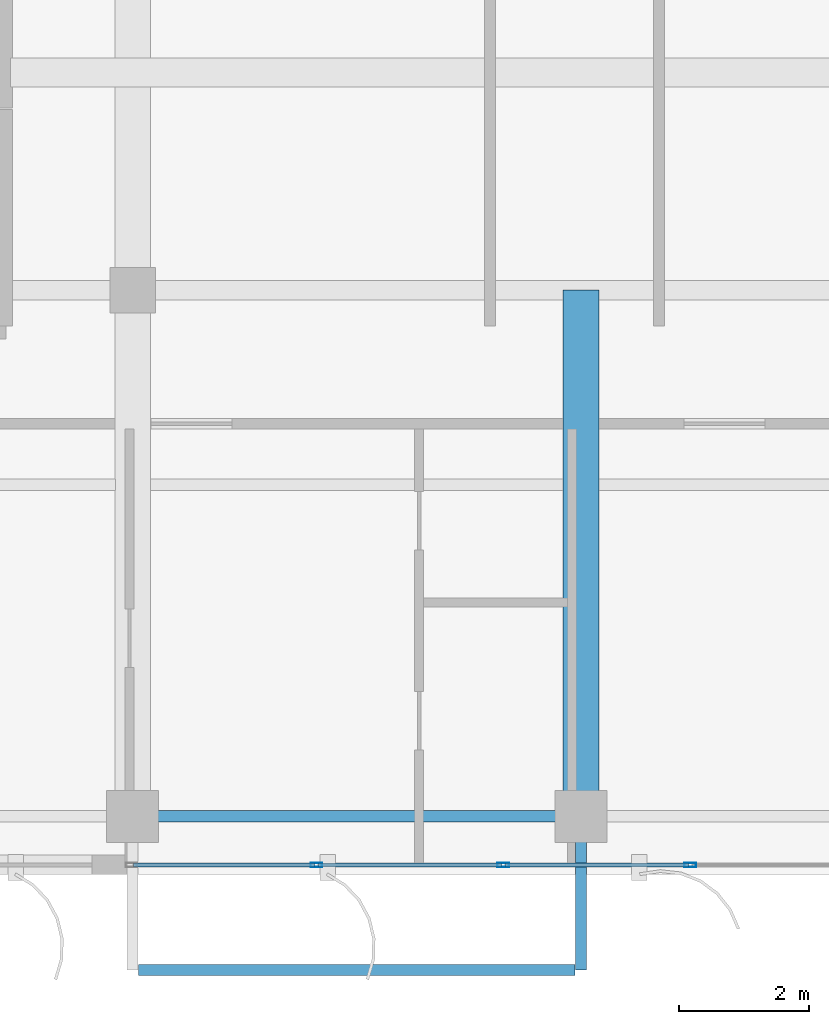
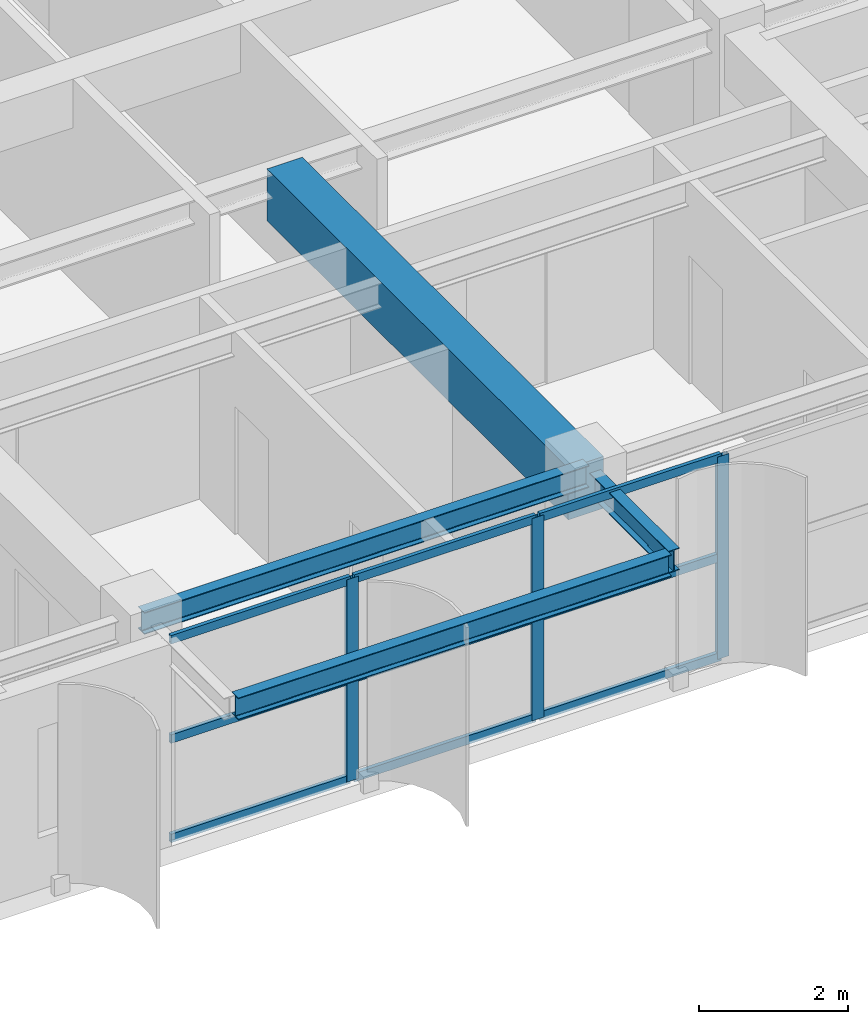
# One storey, part 5 of 23: 12 members, 4 beams, 1 element without a shape of its own.
"""IFC4 building model written with IfcOpenShell, lengths in metres."""

from ifc_helpers import new_model, si_unit, direction, frame, origin, origin_2d, place, context, subcontext, project, spatial, rectangle, hollow_rectangle, i_section, extrude, source, transform, mapped, material, layer, layer_set, material_profile, profile_set, type_object, element, aggregate, save


model = new_model("IFC4")

# Units and contexts
model_context = context("Model", 3, precision=1e-05, world=origin(), true_north=direction((0.0, 1.0)))
body_context = subcontext(model_context, "Body", "Model", "MODEL_VIEW")
ifc_project = project(units=[si_unit("LENGTHUNIT", "METRE"), si_unit("AREAUNIT", "SQUARE_METRE"), si_unit("VOLUMEUNIT", "CUBIC_METRE"), si_unit("PLANEANGLEUNIT", "RADIAN"), si_unit("MASSUNIT", "GRAM", prefix="KILO")], contexts=[model_context])

# Site, building, storey
site_placement = place(None, origin())
site = spatial("IfcSite", under=ifc_project, at=site_placement, CompositionType="ELEMENT")
building_placement = place(site_placement, origin())
building = spatial("IfcBuilding", under=site, at=building_placement, Name="Khoralis Quay Care Tower", CompositionType="ELEMENT")
storey_placement = place(building_placement, frame((0.0, 0.0, 270.89990234375)))
storey = spatial("IfcBuildingStorey", under=building, at=storey_placement, Name="L71", CompositionType="ELEMENT", Elevation=270.89990234375)

# Beams
ifc_material_1 = material(Name="Concrete C50/60", Category="concrete")
ifc_material_profile_1 = material_profile(ifc_material_1, rectangle(XDim=0.550048828125, YDim=0.85009765625, at=origin_2d()), Name="Concrete C50/60")
ifc_profile_set_1 = profile_set([ifc_material_profile_1], Name="Concrete C50/60")
beam_type_1 = type_object("IfcBeamType", Name="BM-RC550X850", PredefinedType="BEAM", material=ifc_profile_set_1)
shared_shape_1 = source(origin(), body_context, "Body", "SweptSolid", [
    extrude(rectangle(XDim=0.550048828125, YDim=0.85009765625, at=origin_2d()), origin(), (0.0, 0.0, 1.0), 8.10009765625),
])
beam_1_placement = place(storey_placement, frame((24.0, 3.89990234375, 2.89501953125), z_axis=(0.0, 1.0, 0.0), x_axis=(-1.0, 0.0, 0.0)))
element("IfcBeam", 1, at=beam_1_placement, inside=storey, type_object=beam_type_1, Name="BM-TGYS-L71-240", PredefinedType="BEAM", context=body_context, shape_type="MappedRepresentation", body=[
    mapped(shared_shape_1, transform((0.0, 0.0, 0.0), scale=1.0)),
])
ifc_material_2 = material(Name="Steel S355", Category="steel")
ifc_material_profile_2 = material_profile(ifc_material_2, i_section(OverallWidth=0.169921875, OverallDepth=0.360107421875, WebThickness=0.008056640625, FlangeThickness=0.0126953125, FilletRadius=0.01806640625, at=origin_2d()), Name="Steel S355")
ifc_profile_set_2 = profile_set([ifc_material_profile_2], Name="Steel S355")
beam_type_2 = type_object("IfcBeamType", Name="BM-IPE360", PredefinedType="SPANDREL", material=ifc_profile_set_2)
shared_shape_2 = source(origin(), body_context, "Body", "SweptSolid", [
    extrude(i_section(OverallWidth=0.169921875, OverallDepth=0.360107421875, WebThickness=0.008056640625, FlangeThickness=0.0126953125, FilletRadius=0.01806640625, at=origin_2d()), origin(), (0.0, 0.0, 1.0), 6.89990234375),
])
beam_2_placement = place(storey_placement, frame((17.10009765625, 3.89990234375, 3.14013671875), z_axis=(1.0, 0.0, 0.0), x_axis=(0.0, 1.0, 0.0)))
element("IfcBeam", 2, at=beam_2_placement, inside=storey, type_object=beam_type_2, Name="BM-TSP-L71-02", PredefinedType="SPANDREL", context=body_context, shape_type="MappedRepresentation", body=[
    mapped(shared_shape_2, transform((0.0, 0.0, 0.0), scale=1.0)),
])

# Curtain wall, members
ifc_material_3 = material(Name="Pale anodised aluminium", Category="aluminium")
ifc_layer = layer(ifc_material_3, 0.159912109375)
ifc_layer_set = layer_set([ifc_layer], Name="Pale anodised aluminium")
curtain_wall_type = type_object("IfcCurtainWallType", Name="CW-SYS-Z3", PredefinedType="NOTDEFINED", material=ifc_layer_set)
curtain_wall_placement = place(storey_placement, origin())
curtain_wall = element("IfcCurtainWall", 3, at=curtain_wall_placement, inside=storey, type_object=curtain_wall_type, Name="L71 Unitised Curtain Wall CW-L71-P1-E0", PredefinedType="NOTDEFINED")
ifc_material_profile_3 = material_profile(ifc_material_3, hollow_rectangle(XDim=0.06494140625, YDim=0.179931640625, WallThickness=0.00390625, at=origin_2d()), Name="Pale anodised aluminium")
ifc_profile_set_3 = profile_set([ifc_material_profile_3], Name="Pale anodised aluminium")
member_type_1 = type_object("IfcMemberType", Name="CW-MUL-180", PredefinedType="MULLION", material=ifc_profile_set_3)
shared_shape_3 = source(origin(), body_context, "Body", "SweptSolid", [
    extrude(hollow_rectangle(XDim=0.06494140625, YDim=0.179931640625, WallThickness=0.00390625, at=origin_2d()), origin(), (0.0, 0.0, 1.0), 3.320068359375),
])
member_1_placement = place(storey_placement, frame((19.927490234375, 3.14990234375, 0.0), z_axis=(0.0, 0.0, 1.0), x_axis=(0.0, 1.0, 0.0)))
member_1 = element("IfcMember", 4, at=member_1_placement, type_object=member_type_1, Name="CW3 mullion 2", PredefinedType="MULLION", context=body_context, shape_type="MappedRepresentation", body=[
    mapped(shared_shape_3, transform((0.0, 0.0, 0.0), scale=1.0)),
])
member_2_placement = place(storey_placement, frame((22.804931640625, 3.14990234375, 0.0), z_axis=(0.0, 0.0, 1.0), x_axis=(0.0, 1.0, 0.0)))
member_2 = element("IfcMember", 5, at=member_2_placement, type_object=member_type_1, Name="CW3 mullion 3", PredefinedType="MULLION", context=body_context, shape_type="MappedRepresentation", body=[
    mapped(shared_shape_3, transform((0.0, 0.0, 0.0), scale=1.0)),
])
member_3_placement = place(storey_placement, frame((25.6826171875, 3.14990234375, 0.0), z_axis=(0.0, 0.0, 1.0), x_axis=(0.0, 1.0, 0.0)))
member_3 = element("IfcMember", 6, at=member_3_placement, type_object=member_type_1, Name="CW3 mullion 4", PredefinedType="MULLION", context=body_context, shape_type="MappedRepresentation", body=[
    mapped(shared_shape_3, transform((0.0, 0.0, 0.0), scale=1.0)),
])

# Beams
shared_shape_4 = source(origin(), body_context, "Body", "SweptSolid", [
    extrude(i_section(OverallWidth=0.169921875, OverallDepth=0.360107421875, WebThickness=0.008056640625, FlangeThickness=0.0126953125, FilletRadius=0.01806640625, at=origin_2d()), origin(), (0.0, 0.0, 1.0), 2.119873046875),
])
beam_3_placement = place(storey_placement, frame((24.0, 3.64990234375, 3.14404296875), z_axis=(0.0, -1.0, 0.0), x_axis=(1.0, 0.0, 0.0)))
element("IfcBeam", 7, at=beam_3_placement, inside=storey, type_object=beam_type_2, Name="L72 Balcony Cantilever Outrigger Beam 2", PredefinedType="SPANDREL", context=body_context, shape_type="MappedRepresentation", body=[
    mapped(shared_shape_4, transform((0.0, 0.0, 0.0), scale=1.0)),
])
shared_shape_5 = source(origin(), body_context, "Body", "SweptSolid", [
    extrude(i_section(OverallWidth=0.169921875, OverallDepth=0.360107421875, WebThickness=0.008056640625, FlangeThickness=0.0126953125, FilletRadius=0.01806640625, at=origin_2d()), origin(), (0.0, 0.0, 1.0), 6.72412109375),
])
beam_4_placement = place(storey_placement, frame((17.18798828125, 1.530029296875, 3.14404296875), z_axis=(1.0, 0.0, 0.0), x_axis=(0.0, 1.0, 0.0)))
element("IfcBeam", 8, at=beam_4_placement, inside=storey, type_object=beam_type_2, Name="L72 Balcony Edge Spandrel Beam P1E0", PredefinedType="SPANDREL", context=body_context, shape_type="MappedRepresentation", body=[
    mapped(shared_shape_5, transform((0.0, 0.0, 0.0), scale=1.0)),
])

# Member
ifc_material_profile_4 = material_profile(ifc_material_3, hollow_rectangle(XDim=0.06005859375, YDim=0.139892578125, WallThickness=0.00390625, at=origin_2d()), Name="Pale anodised aluminium")
ifc_profile_set_4 = profile_set([ifc_material_profile_4], Name="Pale anodised aluminium")
member_type_2 = type_object("IfcMemberType", Name="CW-TRN-140", PredefinedType="USERDEFINED", material=ifc_profile_set_4)
shared_shape_6 = source(origin(), body_context, "Body", "SweptSolid", [
    extrude(hollow_rectangle(XDim=0.06005859375, YDim=0.139892578125, WallThickness=0.00390625, at=origin_2d()), origin(), (0.0, 0.0, 1.0), 2.787353515625),
])
member_4_placement = place(storey_placement, frame((17.110107421875, 3.14990234375, 0.030029296875), z_axis=(1.0, 0.0, 0.0), x_axis=(0.0, 1.0, 0.0)))
member_4 = element("IfcMember", 9, at=member_4_placement, type_object=member_type_2, Name="CW3 transom 1.1", ObjectType="TRANSOM", PredefinedType="USERDEFINED", context=body_context, shape_type="MappedRepresentation", body=[
    mapped(shared_shape_6, transform((0.0, 0.0, 0.0), scale=1.0)),
])

member_5_placement = place(storey_placement, frame((17.110107421875, 3.14990234375, 1.66015625), z_axis=(1.0, 0.0, 0.0), x_axis=(0.0, 1.0, 0.0)))
member_5 = element("IfcMember", 10, at=member_5_placement, type_object=member_type_2, Name="CW3 transom 1.2", ObjectType="TRANSOM", PredefinedType="USERDEFINED", context=body_context, shape_type="MappedRepresentation", body=[
    mapped(shared_shape_6, transform((0.0, 0.0, 0.0), scale=1.0)),
])

member_6_placement = place(storey_placement, frame((17.110107421875, 3.14990234375, 3.2900390625), z_axis=(1.0, 0.0, 0.0), x_axis=(0.0, 1.0, 0.0)))
member_6 = element("IfcMember", 11, at=member_6_placement, type_object=member_type_2, Name="CW3 transom 1.3", ObjectType="TRANSOM", PredefinedType="USERDEFINED", context=body_context, shape_type="MappedRepresentation", body=[
    mapped(shared_shape_6, transform((0.0, 0.0, 0.0), scale=1.0)),
])

shared_shape_7 = source(origin(), body_context, "Body", "SweptSolid", [
    extrude(hollow_rectangle(XDim=0.06005859375, YDim=0.139892578125, WallThickness=0.00390625, at=origin_2d()), origin(), (0.0, 0.0, 1.0), 2.8173828125),
])
member_7_placement = place(storey_placement, frame((19.95751953125, 3.14990234375, 0.030029296875), z_axis=(1.0, 0.0, 0.0), x_axis=(0.0, 1.0, 0.0)))
member_7 = element("IfcMember", 12, at=member_7_placement, type_object=member_type_2, Name="CW3 transom 2.1", ObjectType="TRANSOM", PredefinedType="USERDEFINED", context=body_context, shape_type="MappedRepresentation", body=[
    mapped(shared_shape_7, transform((0.0, 0.0, 0.0), scale=1.0)),
])

member_8_placement = place(storey_placement, frame((19.95751953125, 3.14990234375, 1.66015625), z_axis=(1.0, 0.0, 0.0), x_axis=(0.0, 1.0, 0.0)))
member_8 = element("IfcMember", 13, at=member_8_placement, type_object=member_type_2, Name="CW3 transom 2.2", ObjectType="TRANSOM", PredefinedType="USERDEFINED", context=body_context, shape_type="MappedRepresentation", body=[
    mapped(shared_shape_7, transform((0.0, 0.0, 0.0), scale=1.0)),
])

member_9_placement = place(storey_placement, frame((19.95751953125, 3.14990234375, 3.2900390625), z_axis=(1.0, 0.0, 0.0), x_axis=(0.0, 1.0, 0.0)))
member_9 = element("IfcMember", 14, at=member_9_placement, type_object=member_type_2, Name="CW3 transom 2.3", ObjectType="TRANSOM", PredefinedType="USERDEFINED", context=body_context, shape_type="MappedRepresentation", body=[
    mapped(shared_shape_7, transform((0.0, 0.0, 0.0), scale=1.0)),
])

shared_shape_8 = source(origin(), body_context, "Body", "SweptSolid", [
    extrude(hollow_rectangle(XDim=0.06005859375, YDim=0.139892578125, WallThickness=0.00390625, at=origin_2d()), origin(), (0.0, 0.0, 1.0), 2.817626953125),
])
member_10_placement = place(storey_placement, frame((22.8349609375, 3.14990234375, 0.030029296875), z_axis=(1.0, 0.0, 0.0), x_axis=(0.0, 1.0, 0.0)))
member_10 = element("IfcMember", 15, at=member_10_placement, type_object=member_type_2, Name="CW3 transom 3.1", ObjectType="TRANSOM", PredefinedType="USERDEFINED", context=body_context, shape_type="MappedRepresentation", body=[
    mapped(shared_shape_8, transform((0.0, 0.0, 0.0), scale=1.0)),
])

member_11_placement = place(storey_placement, frame((22.8349609375, 3.14990234375, 1.66015625), z_axis=(1.0, 0.0, 0.0), x_axis=(0.0, 1.0, 0.0)))
member_11 = element("IfcMember", 16, at=member_11_placement, type_object=member_type_2, Name="CW3 transom 3.2", ObjectType="TRANSOM", PredefinedType="USERDEFINED", context=body_context, shape_type="MappedRepresentation", body=[
    mapped(shared_shape_8, transform((0.0, 0.0, 0.0), scale=1.0)),
])

member_12_placement = place(storey_placement, frame((22.8349609375, 3.14990234375, 3.2900390625), z_axis=(1.0, 0.0, 0.0), x_axis=(0.0, 1.0, 0.0)))
member_12 = element("IfcMember", 17, at=member_12_placement, type_object=member_type_2, Name="CW3 transom 3.3", ObjectType="TRANSOM", PredefinedType="USERDEFINED", context=body_context, shape_type="MappedRepresentation", body=[
    mapped(shared_shape_8, transform((0.0, 0.0, 0.0), scale=1.0)),
])

aggregate(curtain_wall, [member_1, member_2, member_3, member_4, member_5, member_6, member_7, member_8, member_9, member_10, member_11, member_12])

save(model, "model.ifc")
